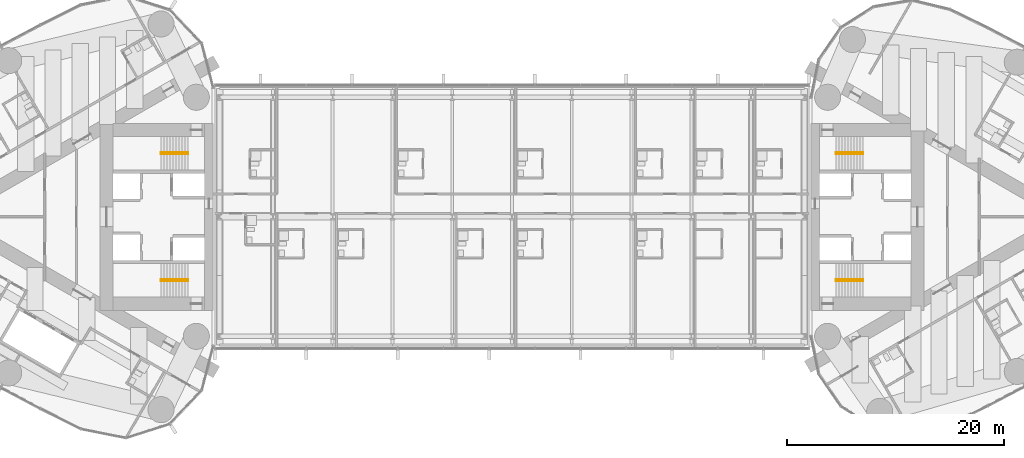
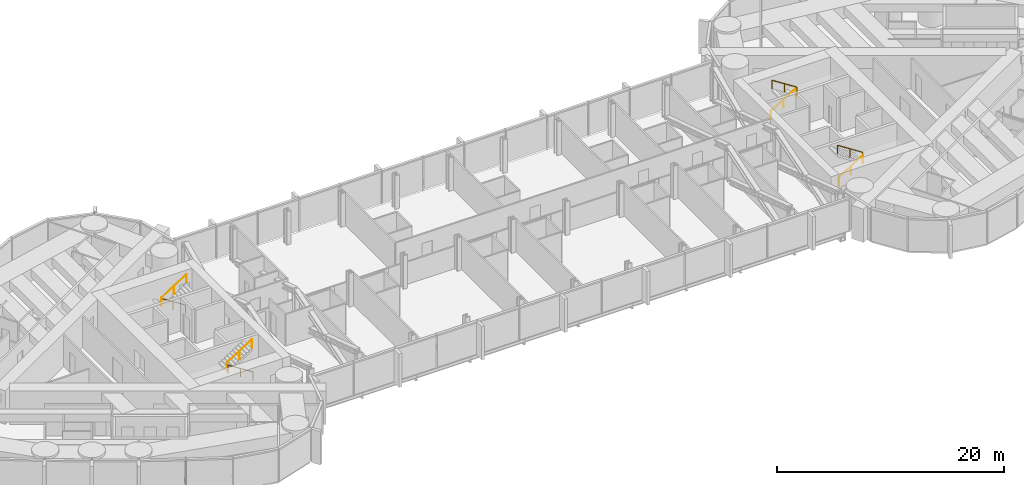
# One storey, part 23 of 24: 8 railings.
"""IFC4 building model written with IfcOpenShell, lengths in metres."""

from ifc_helpers import new_model, si_unit, direction, frame, origin, origin_2d, place, context, subcontext, project, spatial, circle, extrude, material, type_object, element, save


model = new_model("IFC4")

# Units and contexts
model_context = context("Model", 3, precision=1e-05, world=origin(), true_north=direction((0.0, 1.0)))
body_context = subcontext(model_context, "Body", "Model", "MODEL_VIEW")
ifc_project = project(units=[si_unit("LENGTHUNIT", "METRE"), si_unit("AREAUNIT", "SQUARE_METRE"), si_unit("VOLUMEUNIT", "CUBIC_METRE"), si_unit("PLANEANGLEUNIT", "RADIAN"), si_unit("MASSUNIT", "GRAM", prefix="KILO")], contexts=[model_context])

# Site, building, storey
site_placement = place(None, origin())
site = spatial("IfcSite", under=ifc_project, at=site_placement, CompositionType="ELEMENT")
building_placement = place(site_placement, origin())
building = spatial("IfcBuilding", under=site, at=building_placement, Name="Lancet Gate Hotel", CompositionType="ELEMENT")
storey_placement = place(building_placement, frame((0.0, 0.0, 236.89990234375)))
storey = spatial("IfcBuildingStorey", under=building, at=storey_placement, Name="L63", CompositionType="ELEMENT", Elevation=236.89990234375)

# Railings
ifc_material = material(Name="Stainless steel handrail", Category="steel")
railing_type = type_object("IfcRailingType", Name="Stair handrail 900", PredefinedType="HANDRAIL", material=ifc_material)
railing_1_placement = place(storey_placement, frame((-29.800048828125, 5.929931640625, 0.18017578125)))
element("IfcRailing", 1, at=railing_1_placement, inside=storey, type_object=railing_type, Name="ST1 handrail flight 1 L63", PredefinedType="HANDRAIL", context=body_context, shape_type="SweptSolid", body=[
    extrude(circle(Radius=0.02392578125, at=origin_2d()), frame((0.0, 0.0, 0.8759765625), z_axis=(-0.841199657755, 0.0, 0.540724639528), x_axis=(0.0, -1.0, 0.0)), (0.0, 0.0, 1.0), 2.995849609375),
    extrude(circle(Radius=0.02099609375, at=origin_2d()), origin(), (0.0, 0.0, 1.0), 0.851806640625),
    extrude(circle(Radius=0.02099609375, at=origin_2d()), frame((-1.260009765625, 0.0, 0.81005859375)), (0.0, 0.0, 1.0), 0.851806640625),
    extrude(circle(Radius=0.02099609375, at=origin_2d()), frame((-2.52001953125, 0.0, 1.619873046875)), (0.0, 0.0, 1.0), 0.851806640625),
])
railing_2_placement = place(storey_placement, frame((-32.320068359375, 5.77001953125, 1.97998046875)))
element("IfcRailing", 2, at=railing_2_placement, inside=storey, type_object=railing_type, Name="ST1 handrail flight 2 L63", PredefinedType="HANDRAIL", context=body_context, shape_type="SweptSolid", body=[
    extrude(circle(Radius=0.02392578125, at=origin_2d()), frame((0.0, 0.0, 0.8759765625), z_axis=(0.841162588446, 0.0, 0.540782303519), x_axis=(0.0, 1.0, 0.0)), (0.0, 0.0, 1.0), 2.995849609375),
    extrude(circle(Radius=0.02099609375, at=origin_2d()), origin(), (0.0, 0.0, 1.0), 0.851806640625),
    extrude(circle(Radius=0.02099609375, at=origin_2d()), frame((1.260009765625, 0.0, 0.81005859375)), (0.0, 0.0, 1.0), 0.851806640625),
    extrude(circle(Radius=0.02099609375, at=origin_2d()), frame((2.52001953125, 0.0, 1.6201171875)), (0.0, 0.0, 1.0), 0.851806640625),
])
railing_3_placement = place(storey_placement, frame((-29.800048828125, -5.929931640625, 0.18017578125)))
element("IfcRailing", 3, at=railing_3_placement, inside=storey, type_object=railing_type, Name="ST2 handrail flight 1 L63", PredefinedType="HANDRAIL", context=body_context, shape_type="SweptSolid", body=[
    extrude(circle(Radius=0.02392578125, at=origin_2d()), frame((0.0, 0.0, 0.8759765625), z_axis=(-0.841199657755, 0.0, 0.540724639528), x_axis=(0.0, -1.0, 0.0)), (0.0, 0.0, 1.0), 2.995849609375),
    extrude(circle(Radius=0.02099609375, at=origin_2d()), origin(), (0.0, 0.0, 1.0), 0.851806640625),
    extrude(circle(Radius=0.02099609375, at=origin_2d()), frame((-1.260009765625, 0.0, 0.81005859375)), (0.0, 0.0, 1.0), 0.851806640625),
    extrude(circle(Radius=0.02099609375, at=origin_2d()), frame((-2.52001953125, 0.0, 1.619873046875)), (0.0, 0.0, 1.0), 0.851806640625),
])
railing_4_placement = place(storey_placement, frame((-32.320068359375, -5.77001953125, 1.97998046875)))
element("IfcRailing", 4, at=railing_4_placement, inside=storey, type_object=railing_type, Name="ST2 handrail flight 2 L63", PredefinedType="HANDRAIL", context=body_context, shape_type="SweptSolid", body=[
    extrude(circle(Radius=0.02392578125, at=origin_2d()), frame((0.0, 0.0, 0.8759765625), z_axis=(0.841162588446, 0.0, 0.540782303519), x_axis=(0.0, 1.0, 0.0)), (0.0, 0.0, 1.0), 2.995849609375),
    extrude(circle(Radius=0.02099609375, at=origin_2d()), origin(), (0.0, 0.0, 1.0), 0.851806640625),
    extrude(circle(Radius=0.02099609375, at=origin_2d()), frame((1.260009765625, 0.0, 0.81005859375)), (0.0, 0.0, 1.0), 0.851806640625),
    extrude(circle(Radius=0.02099609375, at=origin_2d()), frame((2.52001953125, 0.0, 1.6201171875)), (0.0, 0.0, 1.0), 0.851806640625),
])
railing_5_placement = place(storey_placement, frame((29.800048828125, -5.929931640625, 0.18017578125)))
element("IfcRailing", 5, at=railing_5_placement, inside=storey, type_object=railing_type, Name="ST3 handrail flight 1 L63", PredefinedType="HANDRAIL", context=body_context, shape_type="SweptSolid", body=[
    extrude(circle(Radius=0.02392578125, at=origin_2d()), frame((0.0, 0.0, 0.8759765625), z_axis=(0.841199657755, 0.0, 0.540724639528), x_axis=(0.0, 1.0, 0.0)), (0.0, 0.0, 1.0), 2.995849609375),
    extrude(circle(Radius=0.02099609375, at=origin_2d()), origin(), (0.0, 0.0, 1.0), 0.851806640625),
    extrude(circle(Radius=0.02099609375, at=origin_2d()), frame((1.260009765625, 0.0, 0.81005859375)), (0.0, 0.0, 1.0), 0.851806640625),
    extrude(circle(Radius=0.02099609375, at=origin_2d()), frame((2.52001953125, 0.0, 1.619873046875)), (0.0, 0.0, 1.0), 0.851806640625),
])
railing_6_placement = place(storey_placement, frame((32.320068359375, -5.77001953125, 1.97998046875)))
element("IfcRailing", 6, at=railing_6_placement, inside=storey, type_object=railing_type, Name="ST3 handrail flight 2 L63", PredefinedType="HANDRAIL", context=body_context, shape_type="SweptSolid", body=[
    extrude(circle(Radius=0.02392578125, at=origin_2d()), frame((0.0, 0.0, 0.8759765625), z_axis=(-0.841162588446, 0.0, 0.540782303519), x_axis=(0.0, -1.0, 0.0)), (0.0, 0.0, 1.0), 2.995849609375),
    extrude(circle(Radius=0.02099609375, at=origin_2d()), origin(), (0.0, 0.0, 1.0), 0.851806640625),
    extrude(circle(Radius=0.02099609375, at=origin_2d()), frame((-1.260009765625, 0.0, 0.81005859375)), (0.0, 0.0, 1.0), 0.851806640625),
    extrude(circle(Radius=0.02099609375, at=origin_2d()), frame((-2.52001953125, 0.0, 1.6201171875)), (0.0, 0.0, 1.0), 0.851806640625),
])
railing_7_placement = place(storey_placement, frame((29.800048828125, 5.929931640625, 0.18017578125)))
element("IfcRailing", 7, at=railing_7_placement, inside=storey, type_object=railing_type, Name="ST4 handrail flight 1 L63", PredefinedType="HANDRAIL", context=body_context, shape_type="SweptSolid", body=[
    extrude(circle(Radius=0.02392578125, at=origin_2d()), frame((0.0, 0.0, 0.8759765625), z_axis=(0.841199657755, 0.0, 0.540724639528), x_axis=(0.0, 1.0, 0.0)), (0.0, 0.0, 1.0), 2.995849609375),
    extrude(circle(Radius=0.02099609375, at=origin_2d()), origin(), (0.0, 0.0, 1.0), 0.851806640625),
    extrude(circle(Radius=0.02099609375, at=origin_2d()), frame((1.260009765625, 0.0, 0.81005859375)), (0.0, 0.0, 1.0), 0.851806640625),
    extrude(circle(Radius=0.02099609375, at=origin_2d()), frame((2.52001953125, 0.0, 1.619873046875)), (0.0, 0.0, 1.0), 0.851806640625),
])
railing_8_placement = place(storey_placement, frame((32.320068359375, 5.77001953125, 1.97998046875)))
element("IfcRailing", 8, at=railing_8_placement, inside=storey, type_object=railing_type, Name="ST4 handrail flight 2 L63", PredefinedType="HANDRAIL", context=body_context, shape_type="SweptSolid", body=[
    extrude(circle(Radius=0.02392578125, at=origin_2d()), frame((0.0, 0.0, 0.8759765625), z_axis=(-0.841162588446, 0.0, 0.540782303519), x_axis=(0.0, -1.0, 0.0)), (0.0, 0.0, 1.0), 2.995849609375),
    extrude(circle(Radius=0.02099609375, at=origin_2d()), origin(), (0.0, 0.0, 1.0), 0.851806640625),
    extrude(circle(Radius=0.02099609375, at=origin_2d()), frame((-1.260009765625, 0.0, 0.81005859375)), (0.0, 0.0, 1.0), 0.851806640625),
    extrude(circle(Radius=0.02099609375, at=origin_2d()), frame((-2.52001953125, 0.0, 1.6201171875)), (0.0, 0.0, 1.0), 0.851806640625),
])

save(model, "model.ifc")
